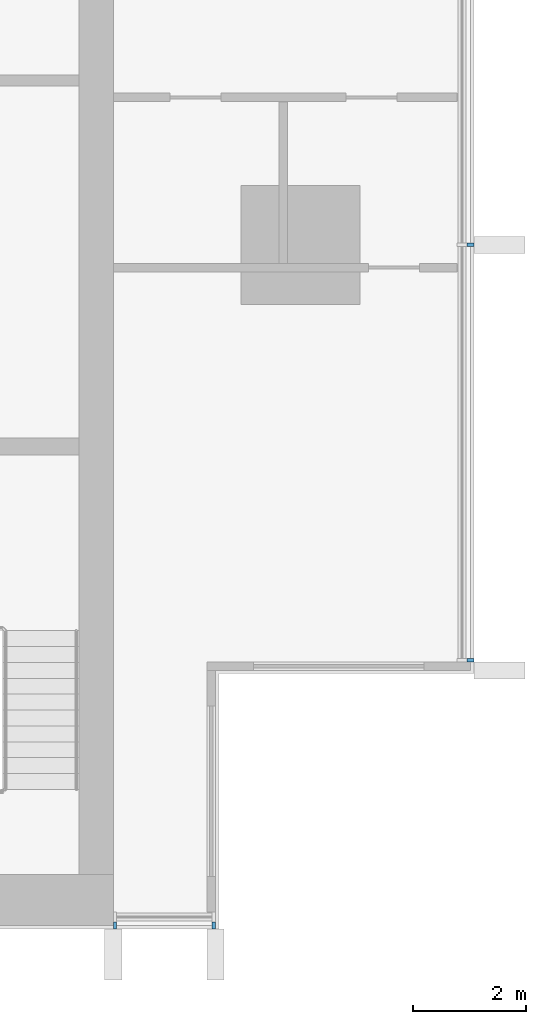
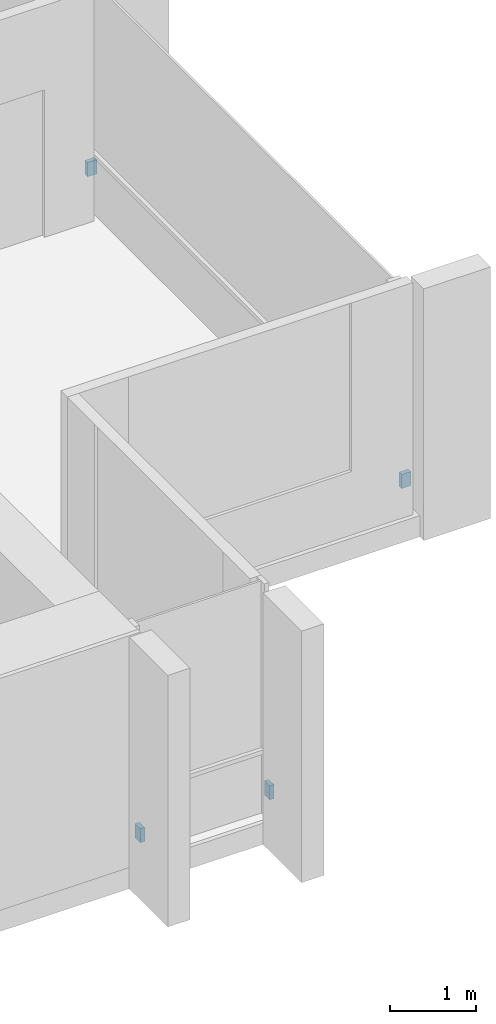
# One storey, part 13 of 16: 4 discrete accessories.
"""IFC4 building model written with IfcOpenShell, lengths in metres."""

from ifc_helpers import new_model, si_unit, direction, frame, origin, origin_2d, place, context, subcontext, project, spatial, rectangle, extrude, material, type_object, element, save


model = new_model("IFC4")

# Units and contexts
model_context = context("Model", 3, precision=1e-05, world=origin(), true_north=direction((0.0, 1.0)))
body_context = subcontext(model_context, "Body", "Model", "MODEL_VIEW")
ifc_project = project(units=[si_unit("LENGTHUNIT", "METRE"), si_unit("AREAUNIT", "SQUARE_METRE"), si_unit("VOLUMEUNIT", "CUBIC_METRE"), si_unit("PLANEANGLEUNIT", "RADIAN"), si_unit("MASSUNIT", "GRAM", prefix="KILO")], contexts=[model_context])

# Site, building, storey
site_placement = place(None, origin())
site = spatial("IfcSite", under=ifc_project, at=site_placement, CompositionType="ELEMENT")
building_placement = place(site_placement, origin())
building = spatial("IfcBuilding", under=site, at=building_placement, Name="Finial Court Residences", CompositionType="ELEMENT")
storey_placement = place(building_placement, frame((0.0, 0.0, 230.300048828125)))
storey = spatial("IfcBuildingStorey", under=building, at=storey_placement, Name="L58", CompositionType="ELEMENT", Elevation=230.300048828125)

# Discrete accessories
ifc_material = material(Name="Stainless steel 316", Category="steel")
discrete_accessory_type = type_object("IfcDiscreteAccessoryType", Name="Fin bracket, stainless steel 60 x 122 x 200", PredefinedType="BRACKET", material=ifc_material)
for number, where, z_axis, x_axis, name in (
    (1, (19.498779296875, -20.820068359375, 0.2998046875), (0.0, 0.0, 1.0), (1.0, 0.0, 0.0), "E-L58-FIN-E7-BRK"),
    (2, (19.498779296875, -13.5, 0.2998046875), (0.0, 0.0, 1.0), (1.0, 0.0, 0.0), "E-L58-FIN-E8-BRK"),
):
    element("IfcDiscreteAccessory", number, at=place(storey_placement, frame(where, z_axis=z_axis, x_axis=x_axis)), inside=storey, type_object=discrete_accessory_type, Name=name, PredefinedType="BRACKET", context=body_context, shape_type="SweptSolid", body=[
        extrude(rectangle(XDim=0.12255859375, YDim=0.06005859375, at=origin_2d()), origin(), (0.0, 0.0, 1.0), 0.199951171875),
    ])
for number, where, z_axis, x_axis, name in (
    (3, (13.22998046875, -25.498779296875, 0.2998046875), (0.0, 0.0, 1.0), (1.0, 0.0, 0.0), "E-L58-FIN-S19-BRK"),
    (4, (14.969970703125, -25.498779296875, 0.2998046875), (0.0, 0.0, 1.0), (1.0, 0.0, 0.0), "E-L58-FIN-S20-BRK"),
):
    element("IfcDiscreteAccessory", number, at=place(storey_placement, frame(where, z_axis=z_axis, x_axis=x_axis)), inside=storey, type_object=discrete_accessory_type, Name=name, PredefinedType="BRACKET", context=body_context, shape_type="SweptSolid", body=[
        extrude(rectangle(XDim=0.06005859375, YDim=0.12255859375, at=origin_2d()), origin(), (0.0, 0.0, 1.0), 0.199951171875),
    ])

save(model, "model.ifc")
